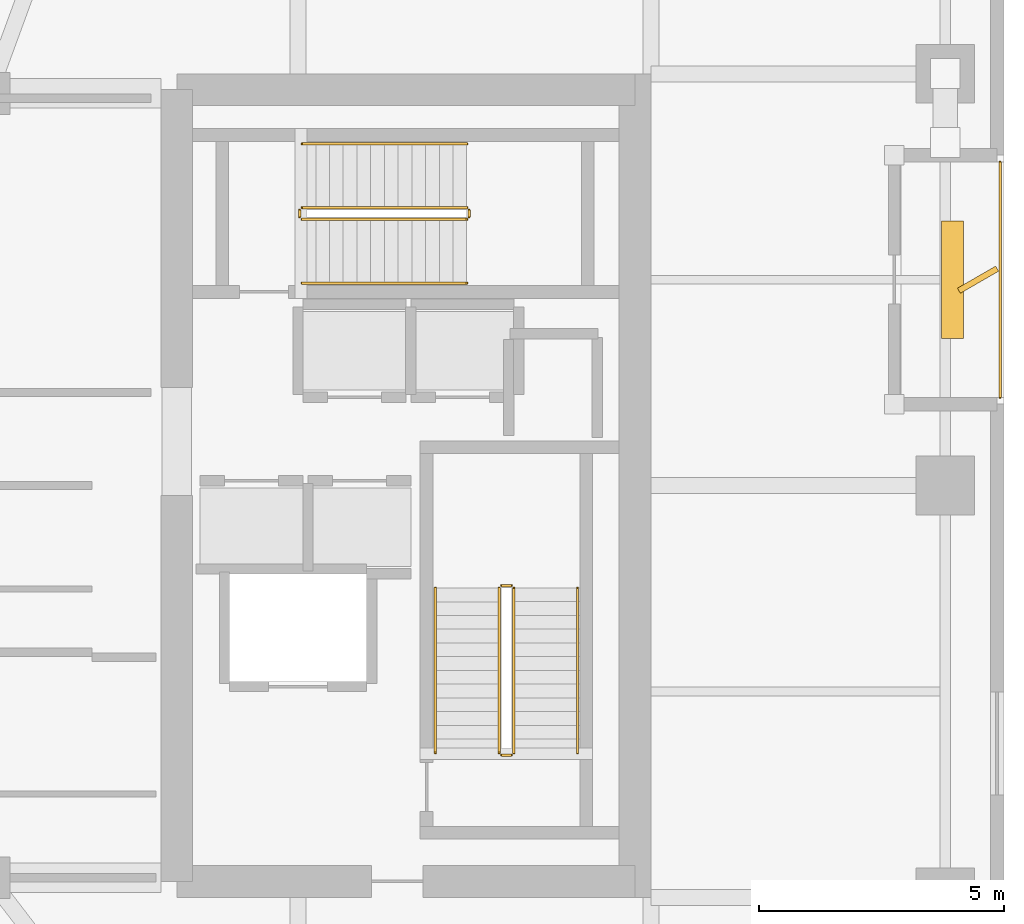
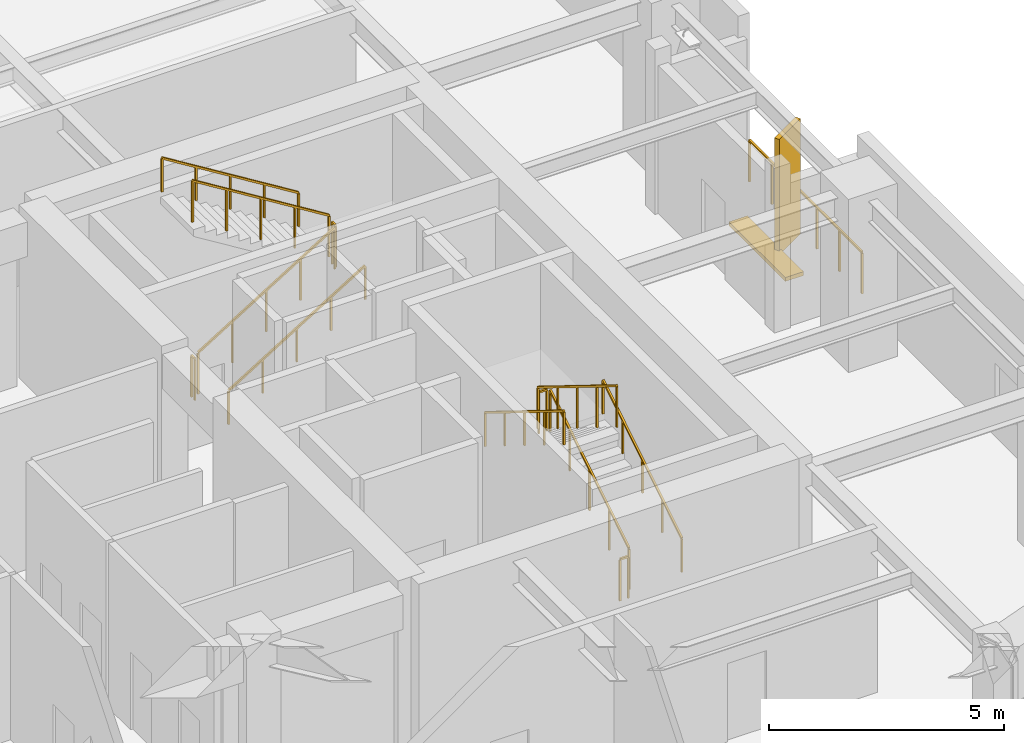
# One storey, part 16 of 18: 13 railings, 2 shading devices.
"""IFC4 building model written with IfcOpenShell, lengths in metres."""

from ifc_helpers import new_model, si_unit, direction, frame, origin, origin_2d, place, context, subcontext, project, spatial, rectangle, extrude, material, type_object, element, save


model = new_model("IFC4")

# Units and contexts
model_context = context("Model", 3, precision=1e-05, world=origin(), true_north=direction((0.0, 1.0)))
body_context = subcontext(model_context, "Body", "Model", "MODEL_VIEW")
ifc_project = project(units=[si_unit("LENGTHUNIT", "METRE"), si_unit("AREAUNIT", "SQUARE_METRE"), si_unit("VOLUMEUNIT", "CUBIC_METRE"), si_unit("PLANEANGLEUNIT", "RADIAN"), si_unit("MASSUNIT", "GRAM", prefix="KILO")], contexts=[model_context])

# Site, building, storey
site_placement = place(None, origin())
site = spatial("IfcSite", under=ifc_project, at=site_placement, CompositionType="ELEMENT")
building_placement = place(site_placement, origin())
building = spatial("IfcBuilding", under=site, at=building_placement, Name="Kiyonajd Concourse Tower", CompositionType="ELEMENT")
storey_placement = place(building_placement, frame((0.0, 0.0, 214.800048828125)))
storey = spatial("IfcBuildingStorey", under=building, at=storey_placement, Name="L54", CompositionType="ELEMENT", Elevation=214.800048828125)

# Railings
ifc_material_1 = material(Name="Thermally Broken Anodised Aluminium", Category="aluminium")
railing_type_1 = type_object("IfcRailingType", Name="RL-GRD-LOG", PredefinedType="GUARDRAIL", material=ifc_material_1)
railing_1_placement = place(storey_placement, frame((70.719970703125, 37.800048828125, 0.0)))
element("IfcRailing", 1, at=railing_1_placement, inside=storey, type_object=railing_type_1, Name="L54 Engawa Loggia Perimeter Guard LOG-E", PredefinedType="GUARDRAIL", context=body_context, shape_type="SweptSolid", body=[
    extrude(rectangle(XDim=0.048095703125, YDim=0.048095703125, at=origin_2d()), frame((0.0, 0.0, 1.076171875), z_axis=(0.0, 1.0, 0.0), x_axis=(-1.0, 0.0, 0.0)), (0.0, 0.0, 1.0), 4.800048828125),
    extrude(rectangle(XDim=0.0419921875, YDim=0.0419921875, at=origin_2d()), origin(), (0.0, 0.0, 1.0), 1.052001953125),
    extrude(rectangle(XDim=0.0419921875, YDim=0.0419921875, at=origin_2d()), frame((0.0, 0.9599609375, 0.0)), (0.0, 0.0, 1.0), 1.052001953125),
    extrude(rectangle(XDim=0.0419921875, YDim=0.0419921875, at=origin_2d()), frame((0.0, 1.919921875, 0.0)), (0.0, 0.0, 1.0), 1.052001953125),
    extrude(rectangle(XDim=0.0419921875, YDim=0.0419921875, at=origin_2d()), frame((0.0, 2.880126953125, 0.0)), (0.0, 0.0, 1.0), 1.052001953125),
    extrude(rectangle(XDim=0.0419921875, YDim=0.0419921875, at=origin_2d()), frame((0.0, 3.840087890625, 0.0)), (0.0, 0.0, 1.0), 1.052001953125),
    extrude(rectangle(XDim=0.0419921875, YDim=0.0419921875, at=origin_2d()), frame((0.0, 4.800048828125, 0.0)), (0.0, 0.0, 1.0), 1.052001953125),
])
ifc_material_2 = material(Name="Steel ASTM A500 Grade C", Category="steel")
railing_type_2 = type_object("IfcRailingType", Name="RL-GRD-STR", PredefinedType="GUARDRAIL", material=ifc_material_2)
railing_2_placement = place(storey_placement, frame((60.800048828125, 30.550048828125, 0.173095703125)))
element("IfcRailing", 2, at=railing_2_placement, inside=storey, type_object=railing_type_2, Name="L54 ST2 stair guard 1", PredefinedType="GUARDRAIL", context=body_context, shape_type="SweptSolid", body=[
    extrude(rectangle(XDim=0.048095703125, YDim=0.048095703125, at=origin_2d()), frame((0.0, 0.0, 1.076171875), z_axis=(0.0, 0.850606129759, 0.525803396734), x_axis=(-1.0, 0.0, 0.0)), (0.0, 0.0, 1.0), 3.949951171875),
    extrude(rectangle(XDim=0.0419921875, YDim=0.0419921875, at=origin_2d()), origin(), (0.0, 0.0, 1.0), 1.052001953125),
    extrude(rectangle(XDim=0.0419921875, YDim=0.0419921875, at=origin_2d()), frame((0.0, 0.83984375, 0.519287109375)), (0.0, 0.0, 1.0), 1.052001953125),
    extrude(rectangle(XDim=0.0419921875, YDim=0.0419921875, at=origin_2d()), frame((0.0, 1.679931640625, 1.03857421875)), (0.0, 0.0, 1.0), 1.052001953125),
    extrude(rectangle(XDim=0.0419921875, YDim=0.0419921875, at=origin_2d()), frame((0.0, 2.52001953125, 1.5576171875)), (0.0, 0.0, 1.0), 1.052001953125),
    extrude(rectangle(XDim=0.0419921875, YDim=0.0419921875, at=origin_2d()), frame((0.0, 3.35986328125, 2.076904296875)), (0.0, 0.0, 1.0), 1.052001953125),
])
railing_3_placement = place(storey_placement, frame((60.75, 33.9599609375, 2.25)))
element("IfcRailing", 3, at=railing_3_placement, inside=storey, type_object=railing_type_2, Name="L54 ST2 stair guard 2", PredefinedType="GUARDRAIL", context=body_context, shape_type="SweptSolid", body=[
    extrude(rectangle(XDim=0.048095703125, YDim=0.048095703125, at=origin_2d()), frame((0.0, 0.0, 1.076171875), z_axis=(-1.0, 0.0, 0.0), x_axis=(0.0, -1.0, 0.0)), (0.0, 0.0, 1.0), 0.199951171875),
    extrude(rectangle(XDim=0.0419921875, YDim=0.0419921875, at=origin_2d()), origin(), (0.0, 0.0, 1.0), 1.052001953125),
    extrude(rectangle(XDim=0.0419921875, YDim=0.0419921875, at=origin_2d()), frame((-0.199951171875, 0.0, 0.0)), (0.0, 0.0, 1.0), 1.052001953125),
])
railing_4_placement = place(storey_placement, frame((60.5, 33.909912109375, 2.423095703125)))
element("IfcRailing", 4, at=railing_4_placement, inside=storey, type_object=railing_type_2, Name="L54 ST2 stair guard 3", PredefinedType="GUARDRAIL", context=body_context, shape_type="SweptSolid", body=[
    extrude(rectangle(XDim=0.048095703125, YDim=0.048095703125, at=origin_2d()), frame((0.0, 0.0, 1.076171875), z_axis=(0.0, -0.850606129759, 0.525803396734), x_axis=(1.0, 0.0, 0.0)), (0.0, 0.0, 1.0), 3.949951171875),
    extrude(rectangle(XDim=0.0419921875, YDim=0.0419921875, at=origin_2d()), origin(), (0.0, 0.0, 1.0), 1.052001953125),
    extrude(rectangle(XDim=0.0419921875, YDim=0.0419921875, at=origin_2d()), frame((0.0, -0.83984375, 0.519287109375)), (0.0, 0.0, 1.0), 1.052001953125),
    extrude(rectangle(XDim=0.0419921875, YDim=0.0419921875, at=origin_2d()), frame((0.0, -1.679931640625, 1.03857421875)), (0.0, 0.0, 1.0), 1.052001953125),
    extrude(rectangle(XDim=0.0419921875, YDim=0.0419921875, at=origin_2d()), frame((0.0, -2.52001953125, 1.5576171875)), (0.0, 0.0, 1.0), 1.052001953125),
    extrude(rectangle(XDim=0.0419921875, YDim=0.0419921875, at=origin_2d()), frame((0.0, -3.35986328125, 2.076904296875)), (0.0, 0.0, 1.0), 1.052001953125),
])
railing_5_placement = place(storey_placement, frame((60.75, 30.5, 0.0)))
element("IfcRailing", 5, at=railing_5_placement, inside=storey, type_object=railing_type_2, Name="L54 ST2 stair guard 4", PredefinedType="GUARDRAIL", context=body_context, shape_type="SweptSolid", body=[
    extrude(rectangle(XDim=0.048095703125, YDim=0.048095703125, at=origin_2d()), frame((0.0, 0.0, 1.076171875), z_axis=(-1.0, 0.0, 0.0), x_axis=(0.0, -1.0, 0.0)), (0.0, 0.0, 1.0), 0.199951171875),
    extrude(rectangle(XDim=0.0419921875, YDim=0.0419921875, at=origin_2d()), origin(), (0.0, 0.0, 1.0), 1.052001953125),
    extrude(rectangle(XDim=0.0419921875, YDim=0.0419921875, at=origin_2d()), frame((-0.199951171875, 0.0, 0.0)), (0.0, 0.0, 1.0), 1.052001953125),
])
railing_6_placement = place(storey_placement, frame((56.47998046875, 41.429931640625, 0.173095703125)))
element("IfcRailing", 6, at=railing_6_placement, inside=storey, type_object=railing_type_2, Name="L54 ST3 stair guard 1", PredefinedType="GUARDRAIL", context=body_context, shape_type="SweptSolid", body=[
    extrude(rectangle(XDim=0.048095703125, YDim=0.048095703125, at=origin_2d()), frame((0.0, 0.0, 1.076171875), z_axis=(0.850623216509, 0.0, 0.525775754039), x_axis=(0.0, 1.0, 0.0)), (0.0, 0.0, 1.0), 3.9501953125),
    extrude(rectangle(XDim=0.0419921875, YDim=0.0419921875, at=origin_2d()), origin(), (0.0, 0.0, 1.0), 1.052001953125),
    extrude(rectangle(XDim=0.0419921875, YDim=0.0419921875, at=origin_2d()), frame((0.840087890625, 0.0, 0.519287109375)), (0.0, 0.0, 1.0), 1.052001953125),
    extrude(rectangle(XDim=0.0419921875, YDim=0.0419921875, at=origin_2d()), frame((1.68017578125, 0.0, 1.03857421875)), (0.0, 0.0, 1.0), 1.052001953125),
    extrude(rectangle(XDim=0.0419921875, YDim=0.0419921875, at=origin_2d()), frame((2.52001953125, 0.0, 1.5576171875)), (0.0, 0.0, 1.0), 1.052001953125),
    extrude(rectangle(XDim=0.0419921875, YDim=0.0419921875, at=origin_2d()), frame((3.360107421875, 0.0, 2.076904296875)), (0.0, 0.0, 1.0), 1.052001953125),
])
railing_7_placement = place(storey_placement, frame((59.889892578125, 41.47998046875, 2.25)))
element("IfcRailing", 7, at=railing_7_placement, inside=storey, type_object=railing_type_2, Name="L54 ST3 stair guard 2", PredefinedType="GUARDRAIL", context=body_context, shape_type="SweptSolid", body=[
    extrude(rectangle(XDim=0.048095703125, YDim=0.048095703125, at=origin_2d()), frame((0.0, 0.0, 1.076171875), z_axis=(0.0, 1.0, 0.0), x_axis=(-1.0, 0.0, 0.0)), (0.0, 0.0, 1.0), 0.14013671875),
    extrude(rectangle(XDim=0.0419921875, YDim=0.0419921875, at=origin_2d()), origin(), (0.0, 0.0, 1.0), 1.052001953125),
    extrude(rectangle(XDim=0.0419921875, YDim=0.0419921875, at=origin_2d()), frame((0.0, 0.14013671875, 0.0)), (0.0, 0.0, 1.0), 1.052001953125),
])
railing_8_placement = place(storey_placement, frame((59.840087890625, 41.669921875, 2.423095703125)))
element("IfcRailing", 8, at=railing_8_placement, inside=storey, type_object=railing_type_2, Name="L54 ST3 stair guard 3", PredefinedType="GUARDRAIL", context=body_context, shape_type="SweptSolid", body=[
    extrude(rectangle(XDim=0.048095703125, YDim=0.048095703125, at=origin_2d()), frame((0.0, 0.0, 1.076171875), z_axis=(-0.850623216509, 0.0, 0.525775754039), x_axis=(0.0, -1.0, 0.0)), (0.0, 0.0, 1.0), 3.9501953125),
    extrude(rectangle(XDim=0.0419921875, YDim=0.0419921875, at=origin_2d()), origin(), (0.0, 0.0, 1.0), 1.052001953125),
    extrude(rectangle(XDim=0.0419921875, YDim=0.0419921875, at=origin_2d()), frame((-0.840087890625, 0.0, 0.519287109375)), (0.0, 0.0, 1.0), 1.052001953125),
    extrude(rectangle(XDim=0.0419921875, YDim=0.0419921875, at=origin_2d()), frame((-1.68017578125, 0.0, 1.03857421875)), (0.0, 0.0, 1.0), 1.052001953125),
    extrude(rectangle(XDim=0.0419921875, YDim=0.0419921875, at=origin_2d()), frame((-2.52001953125, 0.0, 1.5576171875)), (0.0, 0.0, 1.0), 1.052001953125),
    extrude(rectangle(XDim=0.0419921875, YDim=0.0419921875, at=origin_2d()), frame((-3.360107421875, 0.0, 2.076904296875)), (0.0, 0.0, 1.0), 1.052001953125),
])
railing_9_placement = place(storey_placement, frame((56.429931640625, 41.47998046875, 0.0)))
element("IfcRailing", 9, at=railing_9_placement, inside=storey, type_object=railing_type_2, Name="L54 ST3 stair guard 4", PredefinedType="GUARDRAIL", context=body_context, shape_type="SweptSolid", body=[
    extrude(rectangle(XDim=0.048095703125, YDim=0.048095703125, at=origin_2d()), frame((0.0, 0.0, 1.076171875), z_axis=(0.0, 1.0, 0.0), x_axis=(-1.0, 0.0, 0.0)), (0.0, 0.0, 1.0), 0.14013671875),
    extrude(rectangle(XDim=0.0419921875, YDim=0.0419921875, at=origin_2d()), origin(), (0.0, 0.0, 1.0), 1.052001953125),
    extrude(rectangle(XDim=0.0419921875, YDim=0.0419921875, at=origin_2d()), frame((0.0, 0.14013671875, 0.0)), (0.0, 0.0, 1.0), 1.052001953125),
])
ifc_material_3 = material(Name="Brushed Stainless Steel Cab Assembly", Category="steel")
railing_type_3 = type_object("IfcRailingType", Name="RL-HND-900", PredefinedType="HANDRAIL", material=ifc_material_3)
railing_10_placement = place(storey_placement, frame((62.10009765625, 30.550048828125, 0.173095703125)))
element("IfcRailing", 10, at=railing_10_placement, inside=storey, type_object=railing_type_3, Name="L54 ST2 stair handrail 1", PredefinedType="HANDRAIL", context=body_context, shape_type="SweptSolid", body=[
    extrude(rectangle(XDim=0.048095703125, YDim=0.048095703125, at=origin_2d()), frame((0.0, 0.0, 0.8759765625), z_axis=(0.0, 0.850606129759, 0.525803396734), x_axis=(-1.0, 0.0, 0.0)), (0.0, 0.0, 1.0), 3.949951171875),
    extrude(rectangle(XDim=0.0419921875, YDim=0.0419921875, at=origin_2d()), origin(), (0.0, 0.0, 1.0), 0.851806640625),
    extrude(rectangle(XDim=0.0419921875, YDim=0.0419921875, at=origin_2d()), frame((0.0, 0.83984375, 0.519287109375)), (0.0, 0.0, 1.0), 0.851806640625),
    extrude(rectangle(XDim=0.0419921875, YDim=0.0419921875, at=origin_2d()), frame((0.0, 1.679931640625, 1.03857421875)), (0.0, 0.0, 1.0), 0.851806640625),
    extrude(rectangle(XDim=0.0419921875, YDim=0.0419921875, at=origin_2d()), frame((0.0, 2.52001953125, 1.5576171875)), (0.0, 0.0, 1.0), 0.851806640625),
    extrude(rectangle(XDim=0.0419921875, YDim=0.0419921875, at=origin_2d()), frame((0.0, 3.35986328125, 2.076904296875)), (0.0, 0.0, 1.0), 0.851806640625),
])
railing_11_placement = place(storey_placement, frame((59.199951171875, 33.909912109375, 2.423095703125)))
element("IfcRailing", 11, at=railing_11_placement, inside=storey, type_object=railing_type_3, Name="L54 ST2 stair handrail 2", PredefinedType="HANDRAIL", context=body_context, shape_type="SweptSolid", body=[
    extrude(rectangle(XDim=0.048095703125, YDim=0.048095703125, at=origin_2d()), frame((0.0, 0.0, 0.8759765625), z_axis=(0.0, -0.850606129759, 0.525803396734), x_axis=(1.0, 0.0, 0.0)), (0.0, 0.0, 1.0), 3.949951171875),
    extrude(rectangle(XDim=0.0419921875, YDim=0.0419921875, at=origin_2d()), origin(), (0.0, 0.0, 1.0), 0.851806640625),
    extrude(rectangle(XDim=0.0419921875, YDim=0.0419921875, at=origin_2d()), frame((0.0, -0.83984375, 0.519287109375)), (0.0, 0.0, 1.0), 0.851806640625),
    extrude(rectangle(XDim=0.0419921875, YDim=0.0419921875, at=origin_2d()), frame((0.0, -1.679931640625, 1.03857421875)), (0.0, 0.0, 1.0), 0.851806640625),
    extrude(rectangle(XDim=0.0419921875, YDim=0.0419921875, at=origin_2d()), frame((0.0, -2.52001953125, 1.5576171875)), (0.0, 0.0, 1.0), 0.851806640625),
    extrude(rectangle(XDim=0.0419921875, YDim=0.0419921875, at=origin_2d()), frame((0.0, -3.35986328125, 2.076904296875)), (0.0, 0.0, 1.0), 0.851806640625),
])
railing_12_placement = place(storey_placement, frame((56.47998046875, 40.1298828125, 0.173095703125)))
element("IfcRailing", 12, at=railing_12_placement, inside=storey, type_object=railing_type_3, Name="L54 ST3 stair handrail 1", PredefinedType="HANDRAIL", context=body_context, shape_type="SweptSolid", body=[
    extrude(rectangle(XDim=0.048095703125, YDim=0.048095703125, at=origin_2d()), frame((0.0, 0.0, 0.8759765625), z_axis=(0.850623216509, 0.0, 0.525775754039), x_axis=(0.0, 1.0, 0.0)), (0.0, 0.0, 1.0), 3.9501953125),
    extrude(rectangle(XDim=0.0419921875, YDim=0.0419921875, at=origin_2d()), origin(), (0.0, 0.0, 1.0), 0.851806640625),
    extrude(rectangle(XDim=0.0419921875, YDim=0.0419921875, at=origin_2d()), frame((0.840087890625, 0.0, 0.519287109375)), (0.0, 0.0, 1.0), 0.851806640625),
    extrude(rectangle(XDim=0.0419921875, YDim=0.0419921875, at=origin_2d()), frame((1.68017578125, 0.0, 1.03857421875)), (0.0, 0.0, 1.0), 0.851806640625),
    extrude(rectangle(XDim=0.0419921875, YDim=0.0419921875, at=origin_2d()), frame((2.52001953125, 0.0, 1.5576171875)), (0.0, 0.0, 1.0), 0.851806640625),
    extrude(rectangle(XDim=0.0419921875, YDim=0.0419921875, at=origin_2d()), frame((3.360107421875, 0.0, 2.076904296875)), (0.0, 0.0, 1.0), 0.851806640625),
])
railing_13_placement = place(storey_placement, frame((59.840087890625, 42.969970703125, 2.423095703125)))
element("IfcRailing", 13, at=railing_13_placement, inside=storey, type_object=railing_type_3, Name="L54 ST3 stair handrail 2", PredefinedType="HANDRAIL", context=body_context, shape_type="SweptSolid", body=[
    extrude(rectangle(XDim=0.048095703125, YDim=0.048095703125, at=origin_2d()), frame((0.0, 0.0, 0.8759765625), z_axis=(-0.850623216509, 0.0, 0.525775754039), x_axis=(0.0, -1.0, 0.0)), (0.0, 0.0, 1.0), 3.9501953125),
    extrude(rectangle(XDim=0.0419921875, YDim=0.0419921875, at=origin_2d()), origin(), (0.0, 0.0, 1.0), 0.851806640625),
    extrude(rectangle(XDim=0.0419921875, YDim=0.0419921875, at=origin_2d()), frame((-0.840087890625, 0.0, 0.519287109375)), (0.0, 0.0, 1.0), 0.851806640625),
    extrude(rectangle(XDim=0.0419921875, YDim=0.0419921875, at=origin_2d()), frame((-1.68017578125, 0.0, 1.03857421875)), (0.0, 0.0, 1.0), 0.851806640625),
    extrude(rectangle(XDim=0.0419921875, YDim=0.0419921875, at=origin_2d()), frame((-2.52001953125, 0.0, 1.5576171875)), (0.0, 0.0, 1.0), 0.851806640625),
    extrude(rectangle(XDim=0.0419921875, YDim=0.0419921875, at=origin_2d()), frame((-3.360107421875, 0.0, 2.076904296875)), (0.0, 0.0, 1.0), 0.851806640625),
])

# Shading devices
ifc_material_4 = material(Name="Precast concrete C50/60", Category="concrete")
shading_device_type_1 = type_object("IfcShadingDeviceType", Name="SH-FIN-900", PredefinedType="USERDEFINED", material=ifc_material_4)
shading_device_1_placement = place(storey_placement, frame((70.27001953125, 40.199951171875, 0.0), z_axis=(0.0, 0.0, 1.0), x_axis=(0.866025403784, 0.5, 0.0)))
element("IfcShadingDevice", 14, at=shading_device_1_placement, inside=storey, type_object=shading_device_type_1, Name="L54 Angled Koshi Solar Fin LOG-E", ObjectType="FIN", PredefinedType="USERDEFINED", context=body_context, shape_type="SweptSolid", body=[
    extrude(rectangle(XDim=0.89990234375, YDim=0.1201171875, at=origin_2d()), origin(), (0.0, 0.0, 1.0), 3.0),
])
shading_device_type_2 = type_object("IfcShadingDeviceType", Name="SH-LVR-600", PredefinedType="JALOUSIE", material=ifc_material_1)
shading_device_2_placement = place(storey_placement, frame((69.75, 40.199951171875, 0.0), z_axis=(0.0, 0.0, 1.0), x_axis=(0.0, 1.0, 0.0)))
element("IfcShadingDevice", 15, at=shading_device_2_placement, inside=storey, type_object=shading_device_type_2, Name="L54 Loggia Threshold Louver LOG-E", PredefinedType="JALOUSIE", context=body_context, shape_type="SweptSolid", body=[
    extrude(rectangle(XDim=2.39990234375, YDim=0.449951171875, at=origin_2d()), origin(), (0.0, 0.0, 1.0), 0.10009765625),
])

save(model, "model.ifc")
